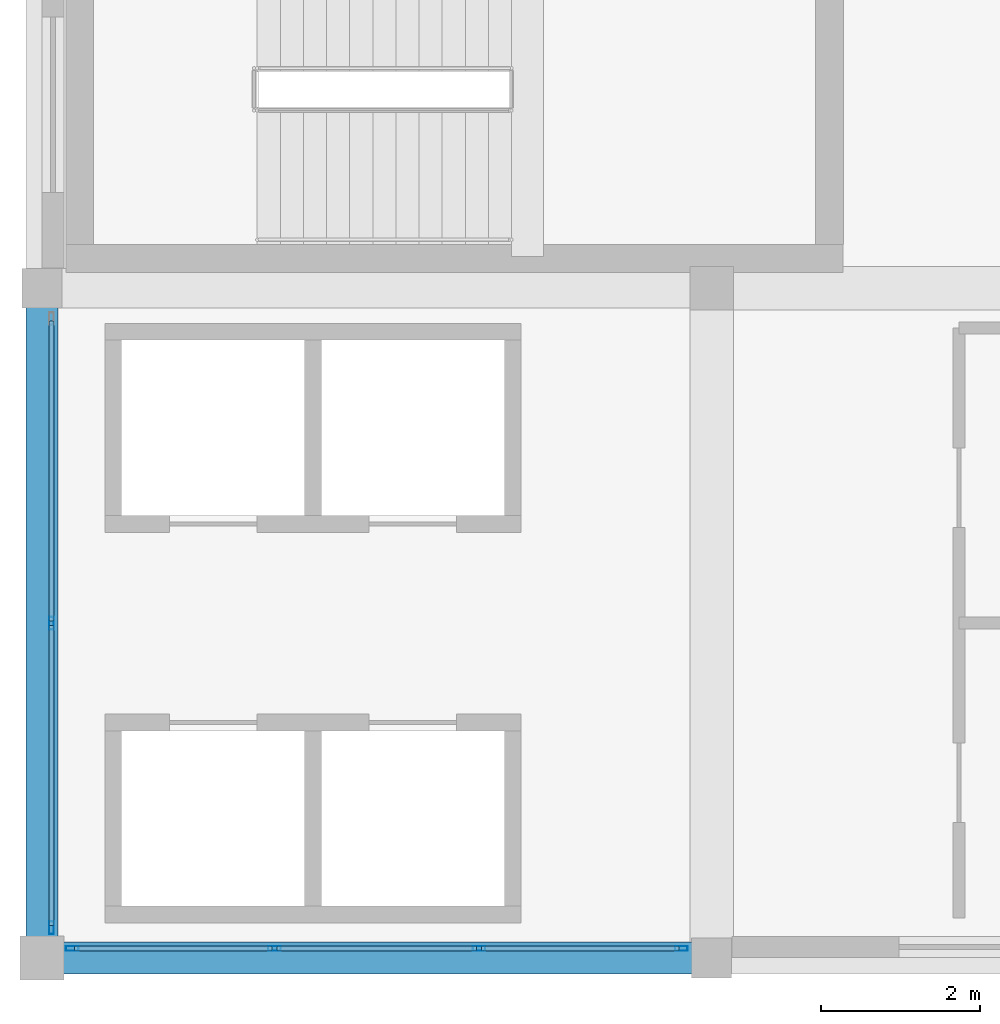
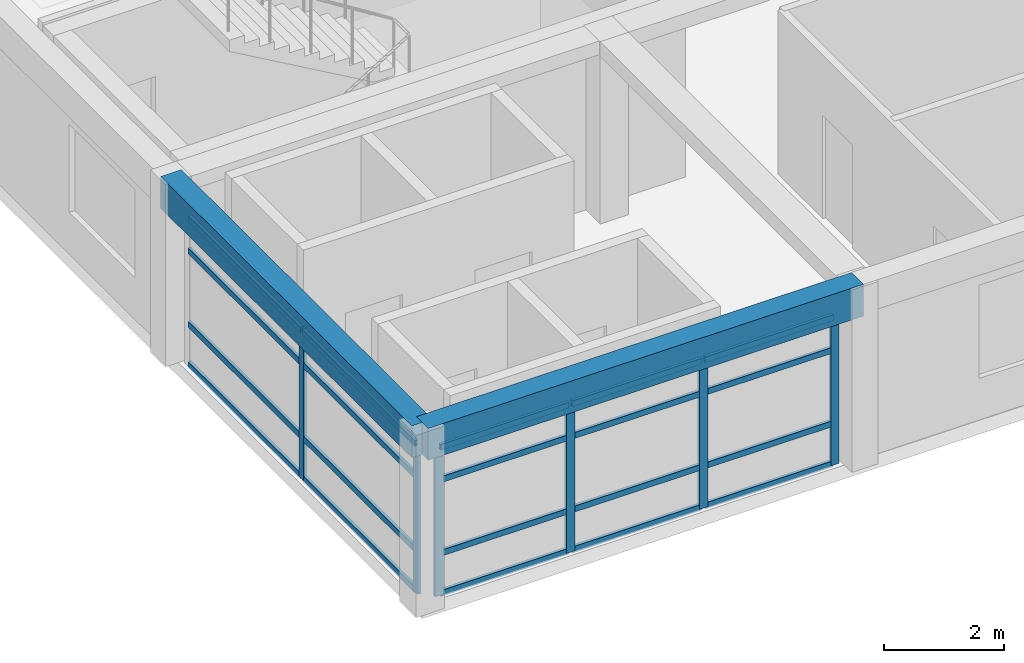
# One storey, part 2 of 22: 26 members, 2 beams, 2 elements without a shape of their own.
"""IFC4 building model written with IfcOpenShell, lengths in metres."""

import ifcopenshell
import ifcopenshell.guid

model = None  # the IFC model being written
_history = None  # IfcOwnerHistory: only IFC2X3 demands one
_inside = {}  # id of a spatial element -> (the spatial element, [elements in it])
_under = {}  # id of a project, library or spatial element -> (it, [spatial elements below it])
_declared = {}  # id of a project -> (the project, [libraries it declares])
_typed = {}  # id of a type object -> (the type object, [elements of that type])
_made_of = {}  # id of a material, layer set ... -> (it, [elements and type objects made of it])


def new_model(schema):
    """Start an empty IFC model of exactly this schema.

    Asked for "IFC4X3", IfcOpenShell would pick the latest addendum, in which some entities
    have other attributes; the version numbers below select the first issue.
    IFC2X3 requires an IfcOwnerHistory on every rooted entity: one is made here for all.
    """
    global model, _history
    if schema == "IFC4X3":
        model = ifcopenshell.file(schema_version=(4, 3, 0, 0))
    else:
        model = ifcopenshell.file(schema=schema)
    _inside.clear()
    _under.clear()
    _declared.clear()
    _typed.clear()
    _made_of.clear()
    _history = None
    if model.schema == "IFC2X3":
        org = make("IfcOrganization", Name="unknown")
        user = make(
            "IfcPersonAndOrganization",
            ThePerson=make("IfcPerson", FamilyName="unknown"),
            TheOrganization=org,
        )
        app = make(
            "IfcApplication",
            ApplicationDeveloper=org,
            Version="unknown",
            ApplicationFullName="unknown",
            ApplicationIdentifier="unknown",
        )
        _history = make(
            "IfcOwnerHistory",
            OwningUser=user,
            OwningApplication=app,
            ChangeAction="ADDED",
            CreationDate=0,
        )
    return model


def make(cls, **values):
    """One entity of the class cls with the attributes given. An attribute that is None is left unset."""
    return model.create_entity(
        cls, **{name: value for name, value in values.items() if value is not None}
    )


def rooted(cls, **values):
    """An entity with a GlobalId (a new one), such as an element, a storey or a relation."""
    return make(cls, GlobalId=ifcopenshell.guid.new(), OwnerHistory=_history, **values)


def si_unit(unit_type, name, prefix=None):
    """IfcSIUnit, for example si_unit("LENGTHUNIT", "METRE", prefix="MILLI")."""
    return make("IfcSIUnit", UnitType=unit_type, Prefix=prefix, Name=name)


def assignment(units):
    """IfcUnitAssignment: the units of a project."""
    return None if units is None else make("IfcUnitAssignment", Units=units)


def point(xyz):
    """IfcCartesianPoint."""
    return None if xyz is None else make("IfcCartesianPoint", Coordinates=xyz)


def direction(xyz):
    """IfcDirection."""
    return None if xyz is None else make("IfcDirection", DirectionRatios=xyz)


def frame(location, z_axis=None, x_axis=None):
    """IfcAxis2Placement3D, a coordinate frame: its origin and axes. An axis left out is left unset."""
    return make(
        "IfcAxis2Placement3D",
        Location=point(location),
        Axis=direction(z_axis),
        RefDirection=direction(x_axis),
    )


def frame_2d(location, x_axis=None):
    """IfcAxis2Placement2D, a coordinate frame in the plane: its origin and x axis."""
    return make(
        "IfcAxis2Placement2D", Location=point(location), RefDirection=direction(x_axis)
    )


def origin():
    """The frame at (0, 0, 0) with its axes left unset."""
    return frame((0.0, 0.0, 0.0))


def origin_2d():
    """The frame at (0, 0) in the plane with its x axis left unset."""
    return frame_2d((0.0, 0.0))


def place(relative_to, where):
    """IfcLocalPlacement: puts the frame where relative to a parent placement (None: the world)."""
    return make(
        "IfcLocalPlacement", PlacementRelTo=relative_to, RelativePlacement=where
    )


def context(
    kind, dimensions, precision=None, world=None, true_north=None, identifier=None
):
    """IfcGeometricRepresentationContext, for example the 3D "Model" context."""
    return make(
        "IfcGeometricRepresentationContext",
        ContextIdentifier=identifier,
        ContextType=kind,
        CoordinateSpaceDimension=dimensions,
        Precision=precision,
        WorldCoordinateSystem=world,
        TrueNorth=true_north,
    )


def subcontext(parent, identifier, kind, view, scale=None):
    """IfcGeometricRepresentationSubContext, for example "Body" below "Model"."""
    return make(
        "IfcGeometricRepresentationSubContext",
        ContextIdentifier=identifier,
        ContextType=kind,
        ParentContext=parent,
        TargetScale=scale,
        TargetView=view,
    )


def project(units=None, contexts=None):
    """IfcProject with its units and contexts."""
    return rooted(
        "IfcProject",
        Name="project",
        RepresentationContexts=contexts,
        UnitsInContext=assignment(units),
    )


def spatial(cls, under=None, at=None, **own):
    """A site, building, storey or space (cls), placed at a placement, below another one or the project."""
    s = rooted(cls, ObjectPlacement=at, **own)
    if under is not None:
        _under.setdefault(under.id(), (under, []))[1].append(s)
    return s


def profile(cls, at=None, kind="AREA", **sizes):
    """A parametric profile (cls). Its sizes go by their IFC names, for example OverallWidth=200.0."""
    return make(cls, ProfileType=kind, Position=at, **sizes)


def rectangle(**sizes):
    """IfcRectangleProfileDef."""
    return profile("IfcRectangleProfileDef", **sizes)


def hollow_rectangle(**sizes):
    """IfcRectangleHollowProfileDef."""
    return profile("IfcRectangleHollowProfileDef", **sizes)


def extrude(swept, where, along, depth):
    """IfcExtrudedAreaSolid: the profile swept, set in the frame where, extruded along a direction by depth."""
    return make(
        "IfcExtrudedAreaSolid",
        SweptArea=swept,
        Position=where,
        ExtrudedDirection=direction(along),
        Depth=depth,
    )


def shape(context_of_items, identifier, shape_type, items):
    """IfcShapeRepresentation: the items that make up one representation, for example the "Body"."""
    return make(
        "IfcShapeRepresentation",
        ContextOfItems=context_of_items,
        RepresentationIdentifier=identifier,
        RepresentationType=shape_type,
        Items=items,
    )


def material(Name=None, Category=None):
    """IfcMaterial."""
    return make("IfcMaterial", Name=Name, Category=Category)


def material_profile(
    of_material, cross_section, Name=None, Category=None, Priority=None
):
    """IfcMaterialProfile: a cross section and its material."""
    return make(
        "IfcMaterialProfile",
        Name=Name,
        Material=of_material,
        Profile=cross_section,
        Priority=Priority,
        Category=Category,
    )


def profile_set(profiles, Name=None, composite=None):
    """IfcMaterialProfileSet."""
    return make(
        "IfcMaterialProfileSet",
        Name=Name,
        MaterialProfiles=profiles,
        CompositeProfile=composite,
    )


def made_of(thing, what):
    """Note that an element or type object is made of a material, layer set ...; save() writes the relation."""
    if what is not None:
        _made_of.setdefault(what.id(), (what, []))[1].append(thing)
    return thing


def type_object(cls, material=None, **own):
    """A type object (cls), such as IfcWallType, which elements share."""
    return made_of(rooted(cls, **own), material)


def element(
    cls,
    number,
    at=None,
    inside=None,
    cuts=None,
    type_object=None,
    material=None,
    context=None,
    identifier="Body",
    shape_type=None,
    held_by="IfcProductDefinitionShape",
    body=None,
    shapes=None,
    **own,
):
    """One element of the class cls, such as IfcWall. Its Tag is "e" and its number.

    at: its placement. inside: the storey or other place that contains it. cuts: it is an
    opening in that element (IfcRelVoidsElement). A single representation is given by context,
    identifier, shape_type and body (its items); several are given by shapes. held_by: the class
    of the entity that holds the representations. save() writes the other relations.
    """
    e = rooted(cls, Tag="e%d" % number, ObjectPlacement=at, **own)
    if body is not None:
        shapes = [shape(context, identifier, shape_type, body)]
    if shapes is not None:
        e.Representation = make(held_by, Representations=shapes)
    if inside is not None:
        _inside.setdefault(inside.id(), (inside, []))[1].append(e)
    if cuts is not None:
        rooted(
            "IfcRelVoidsElement", RelatingBuildingElement=cuts, RelatedOpeningElement=e
        )
    if type_object is not None:
        _typed.setdefault(type_object.id(), (type_object, []))[1].append(e)
    return made_of(e, material)


def aggregate(whole, parts):
    """IfcRelAggregates: a whole, such as a stair, and the parts it consists of."""
    return rooted("IfcRelAggregates", RelatingObject=whole, RelatedObjects=parts)


def save(model, path):
    """Write the relations noted so far, then the file.

    IfcRelAggregates (storeys below a building ...), IfcRelContainedInSpatialStructure (elements
    in a storey), IfcRelDefinesByType, IfcRelAssociatesMaterial and IfcRelDeclares: one each for
    every whole, place, type object, material and project.
    """
    for whole, parts in _under.values():
        aggregate(whole, parts)
    for where, things in _inside.values():
        rooted(
            "IfcRelContainedInSpatialStructure",
            RelatedElements=things,
            RelatingStructure=where,
        )
    for kind, things in _typed.values():
        rooted("IfcRelDefinesByType", RelatedObjects=things, RelatingType=kind)
    for what, things in _made_of.values():
        rooted("IfcRelAssociatesMaterial", RelatedObjects=things, RelatingMaterial=what)
    for by, libraries in _declared.values():
        rooted("IfcRelDeclares", RelatingContext=by, RelatedDefinitions=libraries)
    model.write(path)


model = new_model("IFC4")

# Units and contexts
model_context = context("Model", 3, precision=1e-05, world=origin(), true_north=direction((0.0, 1.0)))
body_context = subcontext(model_context, "Body", "Model", "MODEL_VIEW")
ifc_project = project(units=[si_unit("LENGTHUNIT", "METRE"), si_unit("AREAUNIT", "SQUARE_METRE"), si_unit("VOLUMEUNIT", "CUBIC_METRE"), si_unit("PLANEANGLEUNIT", "RADIAN"), si_unit("MASSUNIT", "GRAM", prefix="KILO")], contexts=[model_context])

# Site, building, storey
site_placement = place(None, origin())
site = spatial("IfcSite", under=ifc_project, at=site_placement, CompositionType="ELEMENT")
building_placement = place(site_placement, origin())
building = spatial("IfcBuilding", under=site, at=building_placement, Name="Almacenes y Pasaje Nevantli", CompositionType="ELEMENT")
storey_placement = place(building_placement, frame((0.0, 0.0, 58.699951171875)))
storey = spatial("IfcBuildingStorey", under=building, at=storey_placement, Name="L14", CompositionType="ELEMENT", Elevation=58.699951171875)

# Beams
ifc_material_1 = material(Name="Concrete C35/45", Category="concrete")
ifc_material_profile_1 = material_profile(ifc_material_1, rectangle(XDim=0.39990234375, YDim=0.64990234375, at=origin_2d()), Name="RC-BM-400x650")
ifc_profile_set_1 = profile_set([ifc_material_profile_1], Name="Concrete C35/45")
beam_type = type_object("IfcBeamType", Name="BM-RC-400x650", PredefinedType="SPANDREL", material=ifc_profile_set_1)
beam_1_placement = place(storey_placement, frame((117.60009765625, 67.199951171875, 3.39501953125), z_axis=(1.0, 0.0, 0.0), x_axis=(0.0, 1.0, 0.0)))
element("IfcBeam", 1, at=beam_1_placement, inside=storey, type_object=beam_type, Name="L14 East-West Reinforced Concrete Beam #3985", PredefinedType="SPANDREL", context=body_context, shape_type="SweptSolid", body=[
    extrude(rectangle(XDim=0.39990234375, YDim=0.64990234375, at=origin_2d()), origin(), (0.0, 0.0, 1.0), 8.39990234375),
])
beam_2_placement = place(storey_placement, frame((117.60009765625, 67.199951171875, 3.39501953125), z_axis=(0.0, 1.0, 0.0), x_axis=(-1.0, 0.0, 0.0)))
element("IfcBeam", 2, at=beam_2_placement, inside=storey, type_object=beam_type, Name="L14 North-South Reinforced Concrete Beam #4001", PredefinedType="SPANDREL", context=body_context, shape_type="SweptSolid", body=[
    extrude(rectangle(XDim=0.39990234375, YDim=0.64990234375, at=origin_2d()), origin(), (0.0, 0.0, 1.0), 8.400146484375),
])

# Curtain wall, members
ifc_material_2 = material(Name="Thermally Broken Aluminium and Low-E Glass", Category="aluminium")
curtain_wall_type = type_object("IfcCurtainWallType", Name="CW-UNIT-TOWER", PredefinedType="USERDEFINED", material=ifc_material_2)
curtain_wall_1_placement = place(storey_placement, origin())
curtain_wall_1 = element("IfcCurtainWall", 3, at=curtain_wall_1_placement, inside=storey, type_object=curtain_wall_type, Name="L14 Tower South Unitized Curtain Wall Bay 15", ObjectType="UNITIZED CURTAIN WALL", PredefinedType="USERDEFINED")
ifc_material_3 = material(Name="Thermally Broken Anodized Aluminium", Category="aluminium")
ifc_material_profile_2 = material_profile(ifc_material_3, hollow_rectangle(XDim=0.06005859375, YDim=0.159912109375, WallThickness=0.00390625, at=origin_2d()), Name="ALU-MUL-60x160")
ifc_profile_set_2 = profile_set([ifc_material_profile_2], Name="Thermally Broken Anodized Aluminium")
member_type_1 = type_object("IfcMemberType", Name="CW-MUL-180", PredefinedType="MULLION", material=ifc_profile_set_2)
member_1_placement = place(storey_placement, frame((117.97998046875, 67.320068359375, 0.0), z_axis=(0.0, 0.0, 1.0), x_axis=(0.0, 1.0, 0.0)))
member_1 = element("IfcMember", 4, at=member_1_placement, type_object=member_type_1, Name="CW-L14-177 mullion 1", PredefinedType="MULLION", context=body_context, shape_type="SweptSolid", body=[
    extrude(hollow_rectangle(XDim=0.06005859375, YDim=0.159912109375, WallThickness=0.00390625, at=origin_2d()), origin(), (0.0, 0.0, 1.0), 3.0400390625),
])
member_2_placement = place(storey_placement, frame((120.5166015625, 67.320068359375, 0.0), z_axis=(0.0, 0.0, 1.0), x_axis=(0.0, 1.0, 0.0)))
member_2 = element("IfcMember", 5, at=member_2_placement, type_object=member_type_1, Name="CW-L14-177 mullion 2", PredefinedType="MULLION", context=body_context, shape_type="SweptSolid", body=[
    extrude(hollow_rectangle(XDim=0.06005859375, YDim=0.159912109375, WallThickness=0.00390625, at=origin_2d()), origin(), (0.0, 0.0, 1.0), 3.0400390625),
])
member_3_placement = place(storey_placement, frame((123.083251953125, 67.320068359375, 0.0), z_axis=(0.0, 0.0, 1.0), x_axis=(0.0, 1.0, 0.0)))
member_3 = element("IfcMember", 6, at=member_3_placement, type_object=member_type_1, Name="CW-L14-177 mullion 3", PredefinedType="MULLION", context=body_context, shape_type="SweptSolid", body=[
    extrude(hollow_rectangle(XDim=0.06005859375, YDim=0.159912109375, WallThickness=0.00390625, at=origin_2d()), origin(), (0.0, 0.0, 1.0), 3.0400390625),
])
member_4_placement = place(storey_placement, frame((125.6201171875, 67.320068359375, 0.0), z_axis=(0.0, 0.0, 1.0), x_axis=(0.0, 1.0, 0.0)))
member_4 = element("IfcMember", 7, at=member_4_placement, type_object=member_type_1, Name="CW-L14-177 mullion 4", PredefinedType="MULLION", context=body_context, shape_type="SweptSolid", body=[
    extrude(hollow_rectangle(XDim=0.06005859375, YDim=0.159912109375, WallThickness=0.00390625, at=origin_2d()), origin(), (0.0, 0.0, 1.0), 3.0400390625),
])

curtain_wall_2_placement = place(storey_placement, origin())
curtain_wall_2 = element("IfcCurtainWall", 8, at=curtain_wall_2_placement, inside=storey, type_object=curtain_wall_type, Name="L14 Tower West Curtain Wall Bay 9", ObjectType="UNITIZED CURTAIN WALL", PredefinedType="USERDEFINED")
member_5_placement = place(storey_placement, frame((117.719970703125, 67.580078125, 0.0), z_axis=(0.0, 0.0, 1.0), x_axis=(-1.0, 0.0, 0.0)))
member_5 = element("IfcMember", 9, at=member_5_placement, type_object=member_type_1, Name="CW-L14-181 mullion 1", PredefinedType="MULLION", context=body_context, shape_type="SweptSolid", body=[
    extrude(hollow_rectangle(XDim=0.06005859375, YDim=0.159912109375, WallThickness=0.00390625, at=origin_2d()), origin(), (0.0, 0.0, 1.0), 3.0400390625),
])
member_6_placement = place(storey_placement, frame((117.719970703125, 71.39990234375, 0.0), z_axis=(0.0, 0.0, 1.0), x_axis=(-1.0, 0.0, 0.0)))
member_6 = element("IfcMember", 10, at=member_6_placement, type_object=member_type_1, Name="CW-L14-181 mullion 2", PredefinedType="MULLION", context=body_context, shape_type="SweptSolid", body=[
    extrude(hollow_rectangle(XDim=0.06005859375, YDim=0.159912109375, WallThickness=0.00390625, at=origin_2d()), origin(), (0.0, 0.0, 1.0), 3.0400390625),
])

# Member
ifc_material_4 = material(Name="Thermally Broken Anodized Aluminium", Category="aluminium")
ifc_material_profile_3 = material_profile(ifc_material_4, hollow_rectangle(XDim=0.06005859375, YDim=0.1201171875, WallThickness=0.00341796875, at=origin_2d()), Name="ALU-TRN-60x120")
ifc_profile_set_3 = profile_set([ifc_material_profile_3], Name="Thermally Broken Anodized Aluminium")
member_type_2 = type_object("IfcMemberType", Name="CW-TRN-130", PredefinedType="USERDEFINED", material=ifc_profile_set_3)
member_7_placement = place(storey_placement, frame((118.010009765625, 67.320068359375, 0.030029296875), z_axis=(1.0, 0.0, 0.0), x_axis=(0.0, 1.0, 0.0)))
member_7 = element("IfcMember", 11, at=member_7_placement, type_object=member_type_2, Name="CW-L14-177 transom 1.1", ObjectType="TRANSOM", PredefinedType="USERDEFINED", context=body_context, shape_type="SweptSolid", body=[
    extrude(hollow_rectangle(XDim=0.06005859375, YDim=0.1201171875, WallThickness=0.00341796875, at=origin_2d()), origin(), (0.0, 0.0, 1.0), 2.4765625),
])

member_8_placement = place(storey_placement, frame((118.010009765625, 67.320068359375, 0.85009765625), z_axis=(1.0, 0.0, 0.0), x_axis=(0.0, 1.0, 0.0)))
member_8 = element("IfcMember", 12, at=member_8_placement, type_object=member_type_2, Name="CW-L14-177 transom 1.2", ObjectType="TRANSOM", PredefinedType="USERDEFINED", context=body_context, shape_type="SweptSolid", body=[
    extrude(hollow_rectangle(XDim=0.06005859375, YDim=0.1201171875, WallThickness=0.00341796875, at=origin_2d()), origin(), (0.0, 0.0, 1.0), 2.4765625),
])

member_9_placement = place(storey_placement, frame((118.010009765625, 67.320068359375, 2.35009765625), z_axis=(1.0, 0.0, 0.0), x_axis=(0.0, 1.0, 0.0)))
member_9 = element("IfcMember", 13, at=member_9_placement, type_object=member_type_2, Name="CW-L14-177 transom 1.3", ObjectType="TRANSOM", PredefinedType="USERDEFINED", context=body_context, shape_type="SweptSolid", body=[
    extrude(hollow_rectangle(XDim=0.06005859375, YDim=0.1201171875, WallThickness=0.00341796875, at=origin_2d()), origin(), (0.0, 0.0, 1.0), 2.4765625),
])

member_10_placement = place(storey_placement, frame((118.010009765625, 67.320068359375, 3.010009765625), z_axis=(1.0, 0.0, 0.0), x_axis=(0.0, 1.0, 0.0)))
member_10 = element("IfcMember", 14, at=member_10_placement, type_object=member_type_2, Name="CW-L14-177 transom 1.4", ObjectType="TRANSOM", PredefinedType="USERDEFINED", context=body_context, shape_type="SweptSolid", body=[
    extrude(hollow_rectangle(XDim=0.06005859375, YDim=0.1201171875, WallThickness=0.00341796875, at=origin_2d()), origin(), (0.0, 0.0, 1.0), 2.4765625),
])

member_11_placement = place(storey_placement, frame((120.546630859375, 67.320068359375, 0.030029296875), z_axis=(1.0, 0.0, 0.0), x_axis=(0.0, 1.0, 0.0)))
member_11 = element("IfcMember", 15, at=member_11_placement, type_object=member_type_2, Name="CW-L14-177 transom 2.1", ObjectType="TRANSOM", PredefinedType="USERDEFINED", context=body_context, shape_type="SweptSolid", body=[
    extrude(hollow_rectangle(XDim=0.06005859375, YDim=0.1201171875, WallThickness=0.00341796875, at=origin_2d()), origin(), (0.0, 0.0, 1.0), 2.506591796875),
])

member_12_placement = place(storey_placement, frame((120.546630859375, 67.320068359375, 0.85009765625), z_axis=(1.0, 0.0, 0.0), x_axis=(0.0, 1.0, 0.0)))
member_12 = element("IfcMember", 16, at=member_12_placement, type_object=member_type_2, Name="CW-L14-177 transom 2.2", ObjectType="TRANSOM", PredefinedType="USERDEFINED", context=body_context, shape_type="SweptSolid", body=[
    extrude(hollow_rectangle(XDim=0.06005859375, YDim=0.1201171875, WallThickness=0.00341796875, at=origin_2d()), origin(), (0.0, 0.0, 1.0), 2.506591796875),
])

member_13_placement = place(storey_placement, frame((120.546630859375, 67.320068359375, 2.35009765625), z_axis=(1.0, 0.0, 0.0), x_axis=(0.0, 1.0, 0.0)))
member_13 = element("IfcMember", 17, at=member_13_placement, type_object=member_type_2, Name="CW-L14-177 transom 2.3", ObjectType="TRANSOM", PredefinedType="USERDEFINED", context=body_context, shape_type="SweptSolid", body=[
    extrude(hollow_rectangle(XDim=0.06005859375, YDim=0.1201171875, WallThickness=0.00341796875, at=origin_2d()), origin(), (0.0, 0.0, 1.0), 2.506591796875),
])

member_14_placement = place(storey_placement, frame((120.546630859375, 67.320068359375, 3.010009765625), z_axis=(1.0, 0.0, 0.0), x_axis=(0.0, 1.0, 0.0)))
member_14 = element("IfcMember", 18, at=member_14_placement, type_object=member_type_2, Name="CW-L14-177 transom 2.4", ObjectType="TRANSOM", PredefinedType="USERDEFINED", context=body_context, shape_type="SweptSolid", body=[
    extrude(hollow_rectangle(XDim=0.06005859375, YDim=0.1201171875, WallThickness=0.00341796875, at=origin_2d()), origin(), (0.0, 0.0, 1.0), 2.506591796875),
])

member_15_placement = place(storey_placement, frame((123.11328125, 67.320068359375, 0.030029296875), z_axis=(1.0, 0.0, 0.0), x_axis=(0.0, 1.0, 0.0)))
member_15 = element("IfcMember", 19, at=member_15_placement, type_object=member_type_2, Name="CW-L14-177 transom 3.1", ObjectType="TRANSOM", PredefinedType="USERDEFINED", context=body_context, shape_type="SweptSolid", body=[
    extrude(hollow_rectangle(XDim=0.06005859375, YDim=0.1201171875, WallThickness=0.00341796875, at=origin_2d()), origin(), (0.0, 0.0, 1.0), 2.476806640625),
])

member_16_placement = place(storey_placement, frame((123.11328125, 67.320068359375, 0.85009765625), z_axis=(1.0, 0.0, 0.0), x_axis=(0.0, 1.0, 0.0)))
member_16 = element("IfcMember", 20, at=member_16_placement, type_object=member_type_2, Name="CW-L14-177 transom 3.2", ObjectType="TRANSOM", PredefinedType="USERDEFINED", context=body_context, shape_type="SweptSolid", body=[
    extrude(hollow_rectangle(XDim=0.06005859375, YDim=0.1201171875, WallThickness=0.00341796875, at=origin_2d()), origin(), (0.0, 0.0, 1.0), 2.476806640625),
])

member_17_placement = place(storey_placement, frame((123.11328125, 67.320068359375, 2.35009765625), z_axis=(1.0, 0.0, 0.0), x_axis=(0.0, 1.0, 0.0)))
member_17 = element("IfcMember", 21, at=member_17_placement, type_object=member_type_2, Name="CW-L14-177 transom 3.3", ObjectType="TRANSOM", PredefinedType="USERDEFINED", context=body_context, shape_type="SweptSolid", body=[
    extrude(hollow_rectangle(XDim=0.06005859375, YDim=0.1201171875, WallThickness=0.00341796875, at=origin_2d()), origin(), (0.0, 0.0, 1.0), 2.476806640625),
])

member_18_placement = place(storey_placement, frame((123.11328125, 67.320068359375, 3.010009765625), z_axis=(1.0, 0.0, 0.0), x_axis=(0.0, 1.0, 0.0)))
member_18 = element("IfcMember", 22, at=member_18_placement, type_object=member_type_2, Name="CW-L14-177 transom 3.4", ObjectType="TRANSOM", PredefinedType="USERDEFINED", context=body_context, shape_type="SweptSolid", body=[
    extrude(hollow_rectangle(XDim=0.06005859375, YDim=0.1201171875, WallThickness=0.00341796875, at=origin_2d()), origin(), (0.0, 0.0, 1.0), 2.476806640625),
])

aggregate(curtain_wall_1, [member_1, member_2, member_3, member_4, member_7, member_8, member_9, member_10, member_11, member_12, member_13, member_14, member_15, member_16, member_17, member_18])

member_19_placement = place(storey_placement, frame((117.719970703125, 67.610107421875, 0.030029296875), z_axis=(0.0, 1.0, 0.0), x_axis=(-1.0, 0.0, 0.0)))
member_19 = element("IfcMember", 23, at=member_19_placement, type_object=member_type_2, Name="CW-L14-181 transom 1.1", ObjectType="TRANSOM", PredefinedType="USERDEFINED", context=body_context, shape_type="SweptSolid", body=[
    extrude(hollow_rectangle(XDim=0.06005859375, YDim=0.1201171875, WallThickness=0.00341796875, at=origin_2d()), origin(), (0.0, 0.0, 1.0), 3.760009765625),
])

member_20_placement = place(storey_placement, frame((117.719970703125, 67.610107421875, 0.85009765625), z_axis=(0.0, 1.0, 0.0), x_axis=(-1.0, 0.0, 0.0)))
member_20 = element("IfcMember", 24, at=member_20_placement, type_object=member_type_2, Name="CW-L14-181 transom 1.2", ObjectType="TRANSOM", PredefinedType="USERDEFINED", context=body_context, shape_type="SweptSolid", body=[
    extrude(hollow_rectangle(XDim=0.06005859375, YDim=0.1201171875, WallThickness=0.00341796875, at=origin_2d()), origin(), (0.0, 0.0, 1.0), 3.760009765625),
])

member_21_placement = place(storey_placement, frame((117.719970703125, 67.610107421875, 2.35009765625), z_axis=(0.0, 1.0, 0.0), x_axis=(-1.0, 0.0, 0.0)))
member_21 = element("IfcMember", 25, at=member_21_placement, type_object=member_type_2, Name="CW-L14-181 transom 1.3", ObjectType="TRANSOM", PredefinedType="USERDEFINED", context=body_context, shape_type="SweptSolid", body=[
    extrude(hollow_rectangle(XDim=0.06005859375, YDim=0.1201171875, WallThickness=0.00341796875, at=origin_2d()), origin(), (0.0, 0.0, 1.0), 3.760009765625),
])

member_22_placement = place(storey_placement, frame((117.719970703125, 67.610107421875, 3.010009765625), z_axis=(0.0, 1.0, 0.0), x_axis=(-1.0, 0.0, 0.0)))
member_22 = element("IfcMember", 26, at=member_22_placement, type_object=member_type_2, Name="CW-L14-181 transom 1.4", ObjectType="TRANSOM", PredefinedType="USERDEFINED", context=body_context, shape_type="SweptSolid", body=[
    extrude(hollow_rectangle(XDim=0.06005859375, YDim=0.1201171875, WallThickness=0.00341796875, at=origin_2d()), origin(), (0.0, 0.0, 1.0), 3.760009765625),
])

member_23_placement = place(storey_placement, frame((117.719970703125, 71.429931640625, 0.030029296875), z_axis=(0.0, 1.0, 0.0), x_axis=(-1.0, 0.0, 0.0)))
member_23 = element("IfcMember", 27, at=member_23_placement, type_object=member_type_2, Name="CW-L14-181 transom 2.1", ObjectType="TRANSOM", PredefinedType="USERDEFINED", context=body_context, shape_type="SweptSolid", body=[
    extrude(hollow_rectangle(XDim=0.06005859375, YDim=0.1201171875, WallThickness=0.00341796875, at=origin_2d()), origin(), (0.0, 0.0, 1.0), 3.760009765625),
])

member_24_placement = place(storey_placement, frame((117.719970703125, 71.429931640625, 0.85009765625), z_axis=(0.0, 1.0, 0.0), x_axis=(-1.0, 0.0, 0.0)))
member_24 = element("IfcMember", 28, at=member_24_placement, type_object=member_type_2, Name="CW-L14-181 transom 2.2", ObjectType="TRANSOM", PredefinedType="USERDEFINED", context=body_context, shape_type="SweptSolid", body=[
    extrude(hollow_rectangle(XDim=0.06005859375, YDim=0.1201171875, WallThickness=0.00341796875, at=origin_2d()), origin(), (0.0, 0.0, 1.0), 3.760009765625),
])

member_25_placement = place(storey_placement, frame((117.719970703125, 71.429931640625, 2.35009765625), z_axis=(0.0, 1.0, 0.0), x_axis=(-1.0, 0.0, 0.0)))
member_25 = element("IfcMember", 29, at=member_25_placement, type_object=member_type_2, Name="CW-L14-181 transom 2.3", ObjectType="TRANSOM", PredefinedType="USERDEFINED", context=body_context, shape_type="SweptSolid", body=[
    extrude(hollow_rectangle(XDim=0.06005859375, YDim=0.1201171875, WallThickness=0.00341796875, at=origin_2d()), origin(), (0.0, 0.0, 1.0), 3.760009765625),
])

member_26_placement = place(storey_placement, frame((117.719970703125, 71.429931640625, 3.010009765625), z_axis=(0.0, 1.0, 0.0), x_axis=(-1.0, 0.0, 0.0)))
member_26 = element("IfcMember", 30, at=member_26_placement, type_object=member_type_2, Name="CW-L14-181 transom 2.4", ObjectType="TRANSOM", PredefinedType="USERDEFINED", context=body_context, shape_type="SweptSolid", body=[
    extrude(hollow_rectangle(XDim=0.06005859375, YDim=0.1201171875, WallThickness=0.00341796875, at=origin_2d()), origin(), (0.0, 0.0, 1.0), 3.760009765625),
])

aggregate(curtain_wall_2, [member_5, member_6, member_19, member_20, member_21, member_22, member_23, member_24, member_25, member_26])

save(model, "model.ifc")
